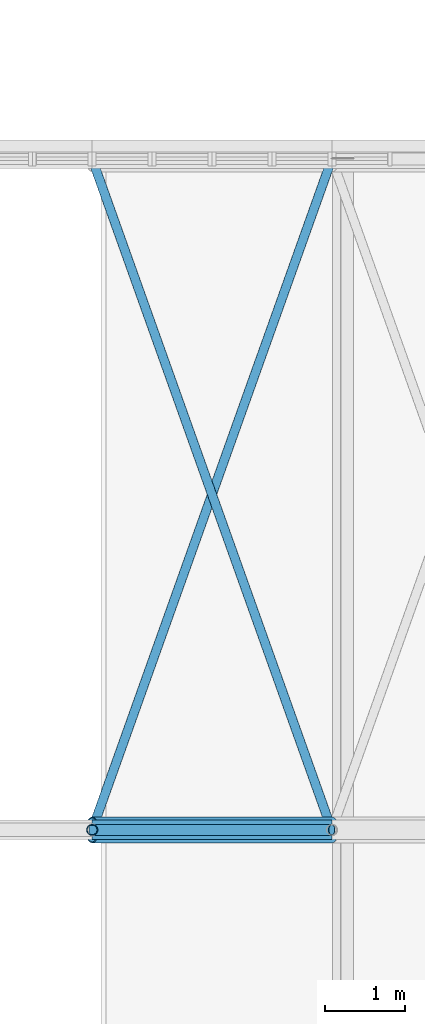
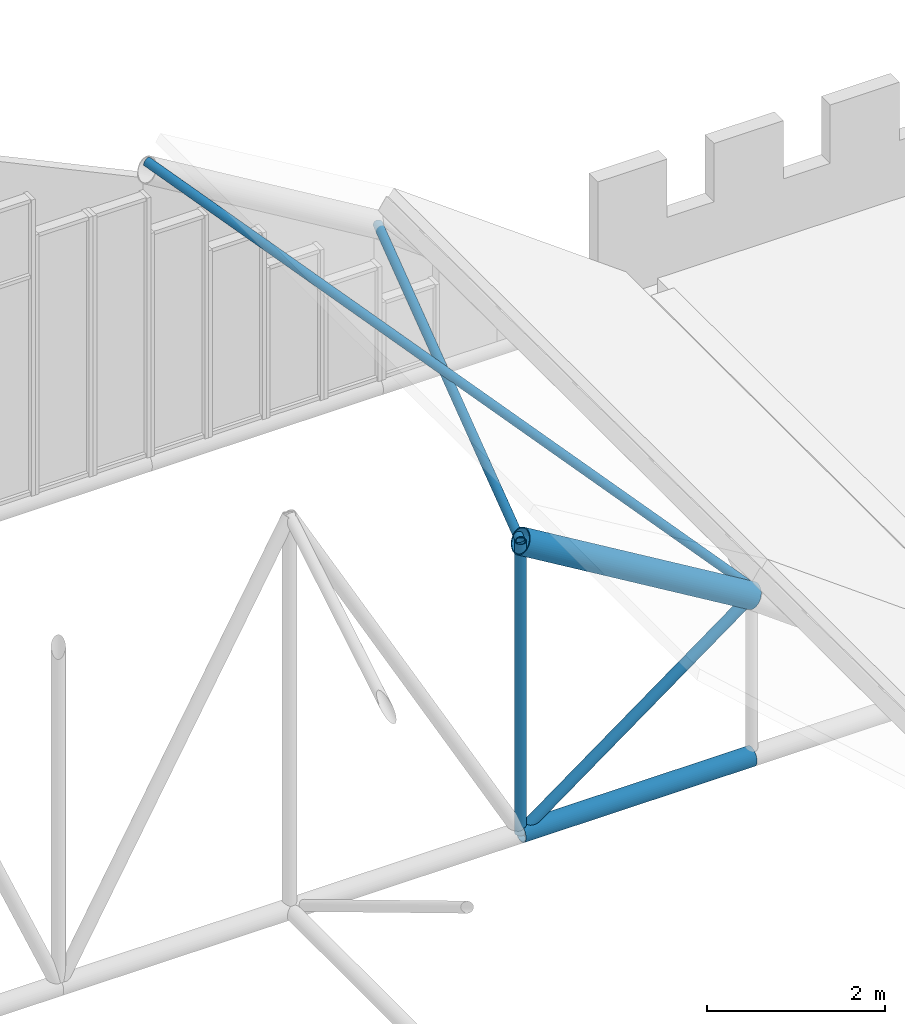
# One storey, part 74 of 153: 6 members.
"""IFC4 building model written with IfcOpenShell, lengths in metres."""

from ifc_helpers import new_model, si_unit, direction, frame, origin, origin_2d, place, context, subcontext, project, spatial, hollow_circle, extrude, material, material_profile, profile_set, type_object, element, save


model = new_model("IFC4")

# Units and contexts
model_context = context("Model", 3, precision=1e-05, world=origin(), true_north=direction((0.0, 1.0)))
body_context = subcontext(model_context, "Body", "Model", "MODEL_VIEW")
ifc_project = project(units=[si_unit("LENGTHUNIT", "METRE"), si_unit("AREAUNIT", "SQUARE_METRE"), si_unit("VOLUMEUNIT", "CUBIC_METRE"), si_unit("PLANEANGLEUNIT", "RADIAN"), si_unit("MASSUNIT", "GRAM", prefix="KILO")], contexts=[model_context])

# Site, building, storey
site_placement = place(None, origin())
site = spatial("IfcSite", under=ifc_project, at=site_placement, CompositionType="ELEMENT")
building_placement = place(site_placement, origin())
building = spatial("IfcBuilding", under=site, at=building_placement, Name="Baradari Gate Terminus", CompositionType="ELEMENT")
storey_placement = place(building_placement, frame((0.0, 0.0, 11.699951171875)))
storey = spatial("IfcBuildingStorey", under=building, at=storey_placement, Name="L02", CompositionType="ELEMENT", Elevation=11.699951171875)

# Members
ifc_material_1 = material(Name="Steel S355", Category="steel")
ifc_material_profile_1 = material_profile(ifc_material_1, hollow_circle(Radius=0.06982421875, WallThickness=0.008056640625, at=origin_2d()), Name="CHS 139.7x8")
ifc_profile_set_1 = profile_set([ifc_material_profile_1], Name="Steel S355")
member_type_1 = type_object("IfcMemberType", Name="Hall vault diagonal CHS 139.7x8", PredefinedType="BRACE", material=ifc_profile_set_1)
member_1_placement = place(storey_placement, frame((168.0, 99.0, 2.322265625), z_axis=(-0.80641125493, 0.0, -0.591355128432), x_axis=(0.0, -1.0, 0.0)))
element("IfcMember", 1, at=member_1_placement, inside=storey, type_object=member_type_1, Name="TR/L02/VT3-DG10", PredefinedType="BRACE", context=body_context, shape_type="SweptSolid", body=[
    extrude(hollow_circle(Radius=0.06982421875, WallThickness=0.008056640625, at=origin_2d()), origin(), (0.0, 0.0, 1.0), 3.72021484375),
])
ifc_material_2 = material(Name="Steel S355", Category="steel")
ifc_material_profile_2 = material_profile(ifc_material_2, hollow_circle(Radius=0.06982421875, WallThickness=0.008056640625, at=origin_2d()), Name="CHS 139.7x8")
ifc_profile_set_2 = profile_set([ifc_material_profile_2], Name="Steel S355")
member_type_2 = type_object("IfcMemberType", Name="Hall vault post CHS 139.7x8", PredefinedType="POST", material=ifc_profile_set_2)
member_2_placement = place(storey_placement, frame((165.0, 99.0, 0.122314453125), z_axis=(0.0, 0.0, 1.0), x_axis=(1.0, 0.0, 0.0)))
element("IfcMember", 2, at=member_2_placement, inside=storey, type_object=member_type_2, Name="TR/L02/VT3-PS10", PredefinedType="POST", context=body_context, shape_type="SweptSolid", body=[
    extrude(hollow_circle(Radius=0.06982421875, WallThickness=0.008056640625, at=origin_2d()), origin(), (0.0, 0.0, 1.0), 4.0),
])
ifc_material_3 = material(Name="Steel S355", Category="steel")
ifc_material_profile_3 = material_profile(ifc_material_3, hollow_circle(Radius=0.122314453125, WallThickness=0.010009765625, at=origin_2d()), Name="CHS 244.5x10")
ifc_profile_set_3 = profile_set([ifc_material_profile_3], Name="Steel S355")
member_type_3 = type_object("IfcMemberType", Name="Hall vault tie CHS 244.5x10", PredefinedType="CHORD", material=ifc_profile_set_3)
member_3_placement = place(storey_placement, frame((165.0, 99.0, 0.122314453125), z_axis=(1.0, 0.0, 0.0), x_axis=(0.0, 1.0, 0.0)))
element("IfcMember", 3, at=member_3_placement, inside=storey, type_object=member_type_3, Name="TR/L02/VT3-BC10", PredefinedType="CHORD", context=body_context, shape_type="SweptSolid", body=[
    extrude(hollow_circle(Radius=0.122314453125, WallThickness=0.010009765625, at=origin_2d()), origin(), (0.0, 0.0, 1.0), 3.0),
])
ifc_material_4 = material(Name="Steel S355", Category="steel")
ifc_material_profile_4 = material_profile(ifc_material_4, hollow_circle(Radius=0.161865234375, WallThickness=0.012451171875, at=origin_2d()), Name="CHS 323.9x12.5")
ifc_profile_set_4 = profile_set([ifc_material_profile_4], Name="Steel S355")
member_type_4 = type_object("IfcMemberType", Name="Hall vault top chord CHS 323.9x12.5", PredefinedType="CHORD", material=ifc_profile_set_4)
member_4_placement = place(storey_placement, frame((165.0, 99.0, 4.122314453125), z_axis=(0.857486768376, 0.0, -0.514506017516), x_axis=(0.0, 1.0, 0.0)))
element("IfcMember", 4, at=member_4_placement, inside=storey, type_object=member_type_4, Name="TR/L02/VT3-TC10", PredefinedType="CHORD", context=body_context, shape_type="SweptSolid", body=[
    extrude(hollow_circle(Radius=0.161865234375, WallThickness=0.012451171875, at=origin_2d()), origin(), (0.0, 0.0, 1.0), 3.49853515625),
])
ifc_material_5 = material(Name="Steel S355", Category="steel")
ifc_material_profile_5 = material_profile(ifc_material_5, hollow_circle(Radius=0.05712890625, WallThickness=0.00634765625, at=origin_2d()), Name="CHS 114.3x6.3")
ifc_profile_set_5 = profile_set([ifc_material_profile_5], Name="Steel S355")
member_type_5 = type_object("IfcMemberType", Name="Shed roof brace CHS 114.3x6.3", PredefinedType="BRACE", material=ifc_profile_set_5)
for number, where, z_axis, x_axis, name in (
    (5, (165.0, 99.0, 4.122314453125), (0.329693153045, 0.923130096328, -0.197821257927), (-0.941740673063, 0.336339864867, 0.0), "TR/L02/VPB3-RB10A"),
    (6, (168.0, 99.0, 2.4365234375), (-0.329693153045, 0.923130096328, 0.197821257927), (-0.941740673063, -0.336339864867, 0.0), "TR/L02/VPB3-RB10B"),
):
    element("IfcMember", number, at=place(storey_placement, frame(where, z_axis=z_axis, x_axis=x_axis)), inside=storey, type_object=member_type_5, Name=name, PredefinedType="BRACE", context=body_context, shape_type="SweptSolid", body=[
        extrude(hollow_circle(Radius=0.05712890625, WallThickness=0.00634765625, at=origin_2d()), origin(), (0.0, 0.0, 1.0), 9.099365234375),
    ])

save(model, "model.ifc")
